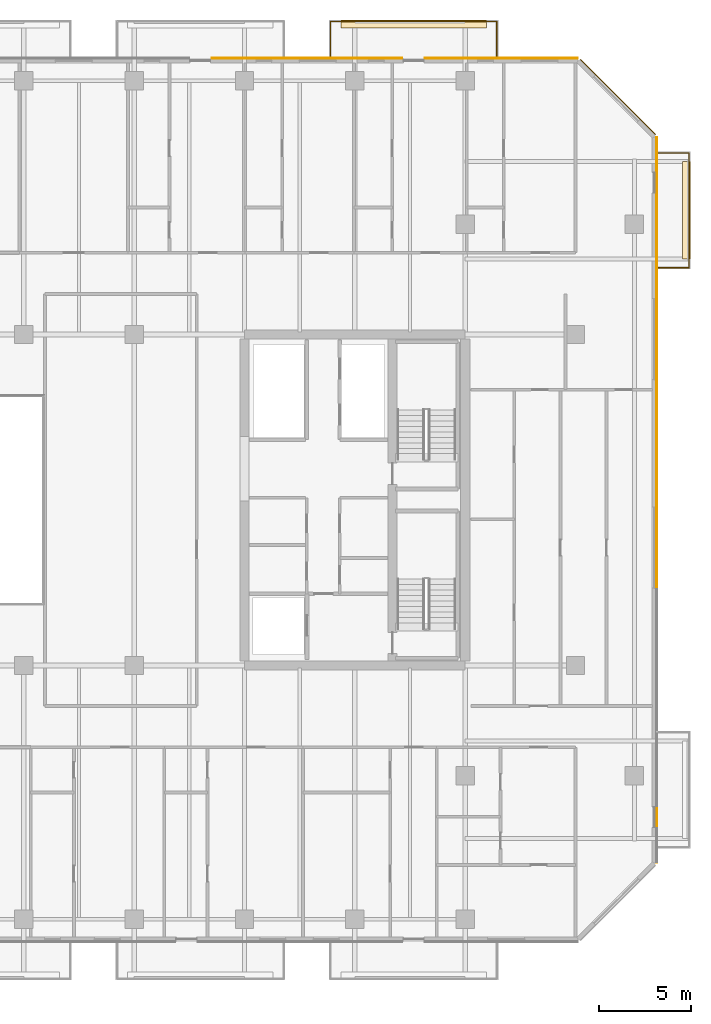
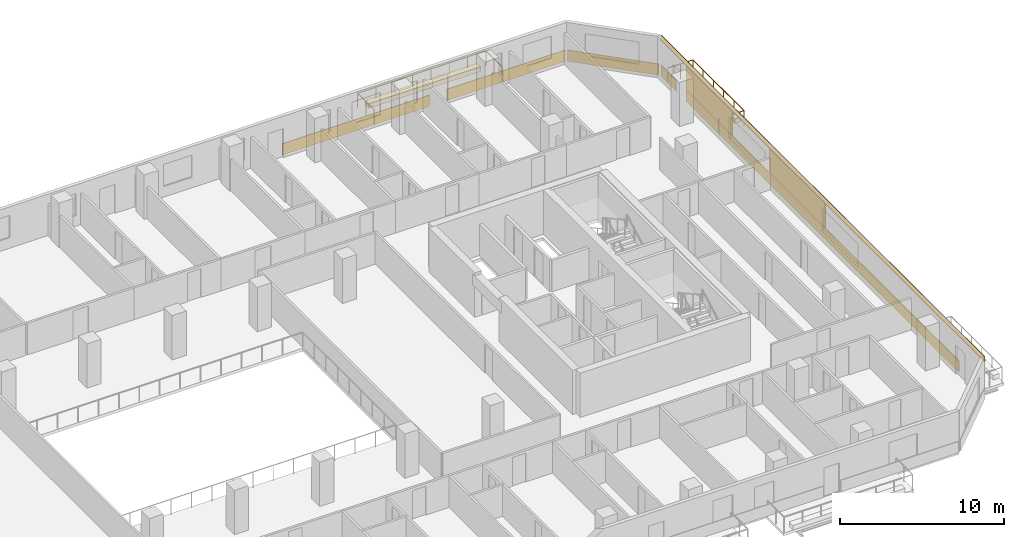
# One storey, part 23 of 23: 10 coverings, 2 railings.
"""IFC4 building model written with IfcOpenShell, lengths in metres."""

from ifc_helpers import new_model, si_unit, direction, frame, origin, origin_2d, place, context, subcontext, project, spatial, polyline, rectangle, outline, extrude, material, layer, layer_set, type_object, element, save


model = new_model("IFC4")

# Units and contexts
model_context = context("Model", 3, precision=1e-05, world=origin(), true_north=direction((0.0, 1.0)))
body_context = subcontext(model_context, "Body", "Model", "MODEL_VIEW")
ifc_project = project(units=[si_unit("LENGTHUNIT", "METRE"), si_unit("AREAUNIT", "SQUARE_METRE"), si_unit("VOLUMEUNIT", "CUBIC_METRE"), si_unit("PLANEANGLEUNIT", "RADIAN"), si_unit("MASSUNIT", "GRAM", prefix="KILO")], contexts=[model_context])

# Site, building, storey
site_placement = place(None, origin())
site = spatial("IfcSite", under=ifc_project, at=site_placement, CompositionType="ELEMENT")
building_placement = place(site_placement, origin())
building = spatial("IfcBuilding", under=site, at=building_placement, Name="Tanjung Sevakor Pilgrim Tower", CompositionType="ELEMENT")
storey_placement = place(building_placement, frame((0.0, 0.0, 101.969970703125)))
storey = spatial("IfcBuildingStorey", under=building, at=storey_placement, Name="L28", CompositionType="ELEMENT", Elevation=101.969970703125)

# Coverings
ifc_material_1 = material(Name="Reconstructed Limestone Cladding", Category="masonry")
ifc_layer_1 = layer(ifc_material_1, 0.044921875)
ifc_layer_set_1 = layer_set([ifc_layer_1], Name="COV-CLAD-LIMESTONE")
covering_type_1 = type_object("IfcCoveringType", Name="COV-CLAD-LIMESTONE", PredefinedType="CLADDING", material=ifc_layer_set_1)
covering_1_placement = place(storey_placement, frame((100.422607421875, 33.60009765625, 0.009765625), z_axis=(0.0, 0.0, 1.0), x_axis=(0.0, 1.0, 0.0)))
element("IfcCovering", 1, at=covering_1_placement, inside=storey, type_object=covering_type_1, Name="L28 Warm Limestone Sill Spandrel EW-L28-MAIN-7-2", PredefinedType="CLADDING", context=body_context, shape_type="SweptSolid", body=[
    extrude(rectangle(XDim=33.280029296875, YDim=0.044921875, at=origin_2d()), origin(), (0.0, 0.0, 1.0), 0.840087890625),
])
covering_2_placement = place(storey_placement, frame((100.422607421875, 52.384033203125, 0.009765625), z_axis=(0.0, 0.0, 1.0), x_axis=(0.0, 1.0, 0.0)))
element("IfcCovering", 2, at=covering_2_placement, inside=storey, type_object=covering_type_1, Name="L28 Warm Limestone Sill Spandrel EW-L28-MAIN-7-3", PredefinedType="CLADDING", context=body_context, shape_type="SweptSolid", body=[
    extrude(rectangle(XDim=1.84814453125, YDim=0.044921875, at=origin_2d()), origin(), (0.0, 0.0, 1.0), 0.840087890625),
])
covering_3_placement = place(storey_placement, frame((100.422607421875, 33.60009765625, 2.66015625), z_axis=(0.0, 0.0, 1.0), x_axis=(0.0, 1.0, 0.0)))
element("IfcCovering", 3, at=covering_3_placement, inside=storey, type_object=covering_type_1, Name="L28 Warm Limestone Cornice Spandrel EW-L28-MAIN-7", PredefinedType="CLADDING", context=body_context, shape_type="SweptSolid", body=[
    extrude(rectangle(XDim=39.456298828125, YDim=0.044921875, at=origin_2d()), origin(), (0.0, 0.0, 1.0), 0.409912109375),
])
covering_4_placement = place(storey_placement, frame((100.422607421875, 36.679931640625, 0.85009765625), z_axis=(0.0, 0.0, 1.0), x_axis=(0.0, 1.0, 0.0)))
element("IfcCovering", 4, at=covering_4_placement, inside=storey, type_object=covering_type_1, Name="L28 Warm Limestone Pier Panel EW-L28-MAIN-7-2", PredefinedType="CLADDING", context=body_context, shape_type="SweptSolid", body=[
    extrude(rectangle(XDim=6.840087890625, YDim=0.044921875, at=origin_2d()), origin(), (0.0, 0.0, 1.0), 1.81005859375),
])
covering_5_placement = place(storey_placement, frame((100.422607421875, 47.425048828125, 0.85009765625), z_axis=(0.0, 0.0, 1.0), x_axis=(0.0, 1.0, 0.0)))
element("IfcCovering", 5, at=covering_5_placement, inside=storey, type_object=covering_type_1, Name="L28 Warm Limestone Pier Panel EW-L28-MAIN-7-3", PredefinedType="CLADDING", context=body_context, shape_type="SweptSolid", body=[
    extrude(rectangle(XDim=5.64990234375, YDim=0.044921875, at=origin_2d()), origin(), (0.0, 0.0, 1.0), 1.81005859375),
])
covering_6_placement = place(storey_placement, frame((98.31591796875, 55.515869140625, 0.009765625), z_axis=(0.0, 0.0, 1.0), x_axis=(-0.707106781187, 0.707106781187, 0.0)))
element("IfcCovering", 6, at=covering_6_placement, inside=storey, type_object=covering_type_1, Name="L28 Warm Limestone Sill Spandrel EW-CHM-L28-MAIN-7-1", PredefinedType="CLADDING", context=body_context, shape_type="SweptSolid", body=[
    extrude(rectangle(XDim=5.756103515625, YDim=0.044921875, at=origin_2d()), origin(), (0.0, 0.0, 1.0), 0.840087890625),
])
covering_7_placement = place(storey_placement, frame((91.958984375, 57.62255859375, 0.009765625), z_axis=(0.0, 0.0, 1.0), x_axis=(-1.0, 0.0, 0.0)))
element("IfcCovering", 7, at=covering_7_placement, inside=storey, type_object=covering_type_1, Name="L28 Warm Limestone Sill Spandrel EW-L28-MAIN-9-1", PredefinedType="CLADDING", context=body_context, shape_type="SweptSolid", body=[
    extrude(rectangle(XDim=8.298095703125, YDim=0.044921875, at=origin_2d()), origin(), (0.0, 0.0, 1.0), 0.840087890625),
])
covering_8_placement = place(storey_placement, frame((81.39990234375, 57.62255859375, 0.009765625), z_axis=(0.0, 0.0, 1.0), x_axis=(-1.0, 0.0, 0.0)))
element("IfcCovering", 8, at=covering_8_placement, inside=storey, type_object=covering_type_1, Name="L28 Warm Limestone Sill Spandrel EW-L28-MAIN-9-2", PredefinedType="CLADDING", context=body_context, shape_type="SweptSolid", body=[
    extrude(rectangle(XDim=10.3798828125, YDim=0.044921875, at=origin_2d()), origin(), (0.0, 0.0, 1.0), 0.840087890625),
])
ifc_material_2 = material(Name="Vegetated Modular Planter Assembly", Category="organic")
ifc_layer_2 = layer(ifc_material_2, 0.35009765625)
ifc_layer_set_2 = layer_set([ifc_layer_2], Name="COV-GRN-TROUGH")
covering_type_2 = type_object("IfcCoveringType", Name="COV-GRN-TROUGH", PredefinedType="CLADDING", material=ifc_layer_set_2)
covering_9_placement = place(storey_placement, origin())
element("IfcCovering", 9, at=covering_9_placement, inside=storey, type_object=covering_type_2, Name="L28 Planted Landscape Hedge Trough BGRN-L28-MAIN-N4", PredefinedType="CLADDING", context=body_context, shape_type="SweptSolid", body=[
    extrude(outline(polyline([(83.25, 59.260009765625), (91.14990234375, 59.260009765625), (91.14990234375, 59.699951171875), (83.25, 59.699951171875), (83.25, 59.260009765625)])), origin(), (0.0, 0.0, 1.0), 0.35009765625),
])
covering_10_placement = place(storey_placement, origin())
element("IfcCovering", 10, at=covering_10_placement, inside=storey, type_object=covering_type_2, Name="L28 Planted Landscape Hedge Trough BGRN-L28-MAIN-E2", PredefinedType="CLADDING", context=body_context, shape_type="SweptSolid", body=[
    extrude(outline(polyline([(102.25, 46.699951171875), (102.25, 52.0), (101.81005859375, 52.0), (101.81005859375, 46.699951171875), (102.25, 46.699951171875)])), origin(), (0.0, 0.0, 1.0), 0.35009765625),
])

# Railings
ifc_material_3 = material(Name="Laminated Glass and Aluminium", Category="aluminium")
railing_type = type_object("IfcRailingType", Name="RL-BAL-BALUST", PredefinedType="BALUSTRADE", material=ifc_material_3)
railing_1_placement = place(storey_placement, frame((82.679931640625, 57.60009765625, 0.0)))
element("IfcRailing", 11, at=railing_1_placement, inside=storey, type_object=railing_type, Name="L28 Loggia Balustrade MAIN-N4", PredefinedType="BALUSTRADE", context=body_context, shape_type="SweptSolid", body=[
    extrude(rectangle(XDim=0.0479, YDim=0.0479), frame((0.0, 0.0, 1.1259765625), z_axis=(0.0, 1.0, 0.0), x_axis=(-1.0, 0.0, 0.0)), (0.0, 0.0, 1.0), 2.02001953125),
    extrude(rectangle(XDim=0.0479, YDim=0.0479), frame((0.0, 2.02001953125, 1.1259765625), z_axis=(1.0, 0.0, 0.0), x_axis=(0.0, 1.0, 0.0)), (0.0, 0.0, 1.0), 9.0400390625),
    extrude(rectangle(XDim=0.0479, YDim=0.0479), frame((9.0400390625, 2.02001953125, 1.1259765625), z_axis=(0.0, -1.0, 0.0), x_axis=(1.0, 0.0, 0.0)), (0.0, 0.0, 1.0), 2.02001953125),
    extrude(rectangle(XDim=0.042, YDim=0.042), origin(), (0.0, 0.0, 1.0), 1.101806640625),
    extrude(rectangle(XDim=0.042, YDim=0.042), frame((0.0, 1.010009765625, 0.0)), (0.0, 0.0, 1.0), 1.101806640625),
    extrude(rectangle(XDim=0.042, YDim=0.042), frame((0.0, 2.02001953125, 0.0)), (0.0, 0.0, 1.0), 1.101806640625),
    extrude(rectangle(XDim=0.042, YDim=0.042), frame((1.29150390625, 2.02001953125, 0.0)), (0.0, 0.0, 1.0), 1.101806640625),
    extrude(rectangle(XDim=0.042, YDim=0.042), frame((2.582763671875, 2.02001953125, 0.0)), (0.0, 0.0, 1.0), 1.101806640625),
    extrude(rectangle(XDim=0.042, YDim=0.042), frame((3.874267578125, 2.02001953125, 0.0)), (0.0, 0.0, 1.0), 1.101806640625),
    extrude(rectangle(XDim=0.042, YDim=0.042), frame((5.165771484375, 2.02001953125, 0.0)), (0.0, 0.0, 1.0), 1.101806640625),
    extrude(rectangle(XDim=0.042, YDim=0.042), frame((6.457275390625, 2.02001953125, 0.0)), (0.0, 0.0, 1.0), 1.101806640625),
    extrude(rectangle(XDim=0.042, YDim=0.042), frame((7.74853515625, 2.02001953125, 0.0)), (0.0, 0.0, 1.0), 1.101806640625),
    extrude(rectangle(XDim=0.042, YDim=0.042), frame((9.0400390625, 2.02001953125, 0.0)), (0.0, 0.0, 1.0), 1.101806640625),
    extrude(rectangle(XDim=0.042, YDim=0.042), frame((9.0400390625, 1.010009765625, 0.0)), (0.0, 0.0, 1.0), 1.101806640625),
    extrude(rectangle(XDim=0.042, YDim=0.042), frame((9.0400390625, 0.0, 0.0)), (0.0, 0.0, 1.0), 1.101806640625),
])
railing_2_placement = place(storey_placement, frame((100.39990234375, 46.22998046875, 0.0)))
element("IfcRailing", 12, at=railing_2_placement, inside=storey, type_object=railing_type, Name="L28 Loggia Balustrade MAIN-E2", PredefinedType="BALUSTRADE", context=body_context, shape_type="SweptSolid", body=[
    extrude(rectangle(XDim=0.0479, YDim=0.0479), frame((0.0, 0.0, 1.1259765625), z_axis=(1.0, 0.0, 0.0), x_axis=(0.0, 1.0, 0.0)), (0.0, 0.0, 1.0), 1.77001953125),
    extrude(rectangle(XDim=0.0479, YDim=0.0479), frame((1.77001953125, 0.0, 1.1259765625), z_axis=(0.0, 1.0, 0.0), x_axis=(-1.0, 0.0, 0.0)), (0.0, 0.0, 1.0), 6.239990234375),
    extrude(rectangle(XDim=0.0479, YDim=0.0479), frame((1.77001953125, 6.239990234375, 1.1259765625), z_axis=(-1.0, 0.0, 0.0), x_axis=(0.0, -1.0, 0.0)), (0.0, 0.0, 1.0), 1.77001953125),
    extrude(rectangle(XDim=0.042, YDim=0.042), origin(), (0.0, 0.0, 1.0), 1.101806640625),
    extrude(rectangle(XDim=0.042, YDim=0.042), frame((0.885009765625, 0.0, 0.0)), (0.0, 0.0, 1.0), 1.101806640625),
    extrude(rectangle(XDim=0.042, YDim=0.042), frame((1.77001953125, 0.0, 0.0)), (0.0, 0.0, 1.0), 1.101806640625),
    extrude(rectangle(XDim=0.042, YDim=0.042), frame((1.77001953125, 1.248046875, 0.0)), (0.0, 0.0, 1.0), 1.101806640625),
    extrude(rectangle(XDim=0.042, YDim=0.042), frame((1.77001953125, 2.49609375, 0.0)), (0.0, 0.0, 1.0), 1.101806640625),
    extrude(rectangle(XDim=0.042, YDim=0.042), frame((1.77001953125, 3.743896484375, 0.0)), (0.0, 0.0, 1.0), 1.101806640625),
    extrude(rectangle(XDim=0.042, YDim=0.042), frame((1.77001953125, 4.991943359375, 0.0)), (0.0, 0.0, 1.0), 1.101806640625),
    extrude(rectangle(XDim=0.042, YDim=0.042), frame((1.77001953125, 6.239990234375, 0.0)), (0.0, 0.0, 1.0), 1.101806640625),
    extrude(rectangle(XDim=0.042, YDim=0.042), frame((0.885009765625, 6.239990234375, 0.0)), (0.0, 0.0, 1.0), 1.101806640625),
    extrude(rectangle(XDim=0.042, YDim=0.042), frame((0.0, 6.239990234375, 0.0)), (0.0, 0.0, 1.0), 1.101806640625),
])

save(model, "model.ifc")
